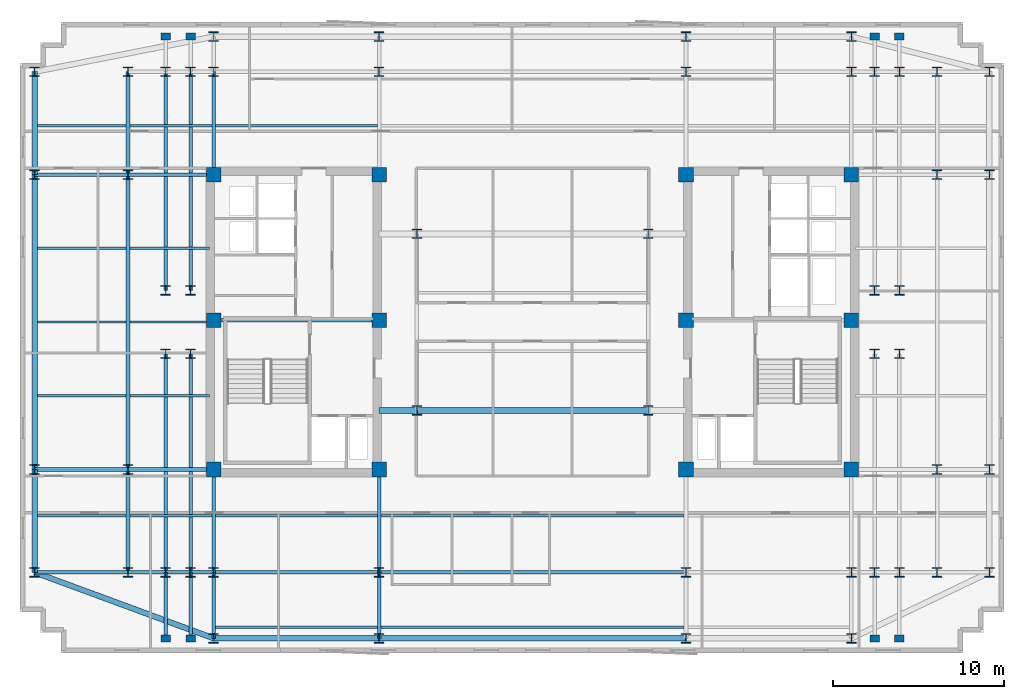
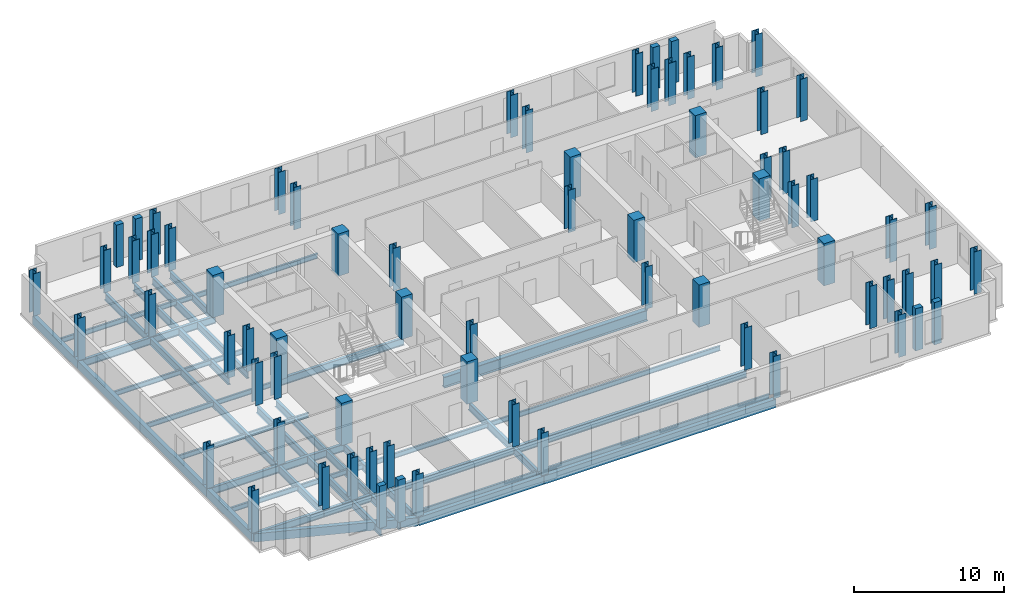
# One storey, part 1 of 9: 72 columns, 46 beams.
"""IFC4 building model written with IfcOpenShell, lengths in metres."""

import ifcopenshell
import ifcopenshell.guid

model = None  # the IFC model being written
_history = None  # IfcOwnerHistory: only IFC2X3 demands one
_inside = {}  # id of a spatial element -> (the spatial element, [elements in it])
_under = {}  # id of a project, library or spatial element -> (it, [spatial elements below it])
_declared = {}  # id of a project -> (the project, [libraries it declares])
_typed = {}  # id of a type object -> (the type object, [elements of that type])
_made_of = {}  # id of a material, layer set ... -> (it, [elements and type objects made of it])


def new_model(schema):
    """Start an empty IFC model of exactly this schema.

    Asked for "IFC4X3", IfcOpenShell would pick the latest addendum, in which some entities
    have other attributes; the version numbers below select the first issue.
    IFC2X3 requires an IfcOwnerHistory on every rooted entity: one is made here for all.
    """
    global model, _history
    if schema == "IFC4X3":
        model = ifcopenshell.file(schema_version=(4, 3, 0, 0))
    else:
        model = ifcopenshell.file(schema=schema)
    _inside.clear()
    _under.clear()
    _declared.clear()
    _typed.clear()
    _made_of.clear()
    _history = None
    if model.schema == "IFC2X3":
        org = make("IfcOrganization", Name="unknown")
        user = make(
            "IfcPersonAndOrganization",
            ThePerson=make("IfcPerson", FamilyName="unknown"),
            TheOrganization=org,
        )
        app = make(
            "IfcApplication",
            ApplicationDeveloper=org,
            Version="unknown",
            ApplicationFullName="unknown",
            ApplicationIdentifier="unknown",
        )
        _history = make(
            "IfcOwnerHistory",
            OwningUser=user,
            OwningApplication=app,
            ChangeAction="ADDED",
            CreationDate=0,
        )
    return model


def make(cls, **values):
    """One entity of the class cls with the attributes given. An attribute that is None is left unset."""
    return model.create_entity(
        cls, **{name: value for name, value in values.items() if value is not None}
    )


def rooted(cls, **values):
    """An entity with a GlobalId (a new one), such as an element, a storey or a relation."""
    return make(cls, GlobalId=ifcopenshell.guid.new(), OwnerHistory=_history, **values)


def si_unit(unit_type, name, prefix=None):
    """IfcSIUnit, for example si_unit("LENGTHUNIT", "METRE", prefix="MILLI")."""
    return make("IfcSIUnit", UnitType=unit_type, Prefix=prefix, Name=name)


def assignment(units):
    """IfcUnitAssignment: the units of a project."""
    return None if units is None else make("IfcUnitAssignment", Units=units)


def point(xyz):
    """IfcCartesianPoint."""
    return None if xyz is None else make("IfcCartesianPoint", Coordinates=xyz)


def direction(xyz):
    """IfcDirection."""
    return None if xyz is None else make("IfcDirection", DirectionRatios=xyz)


def frame(location, z_axis=None, x_axis=None):
    """IfcAxis2Placement3D, a coordinate frame: its origin and axes. An axis left out is left unset."""
    return make(
        "IfcAxis2Placement3D",
        Location=point(location),
        Axis=direction(z_axis),
        RefDirection=direction(x_axis),
    )


def frame_2d(location, x_axis=None):
    """IfcAxis2Placement2D, a coordinate frame in the plane: its origin and x axis."""
    return make(
        "IfcAxis2Placement2D", Location=point(location), RefDirection=direction(x_axis)
    )


def origin():
    """The frame at (0, 0, 0) with its axes left unset."""
    return frame((0.0, 0.0, 0.0))


def origin_2d():
    """The frame at (0, 0) in the plane with its x axis left unset."""
    return frame_2d((0.0, 0.0))


def place(relative_to, where):
    """IfcLocalPlacement: puts the frame where relative to a parent placement (None: the world)."""
    return make(
        "IfcLocalPlacement", PlacementRelTo=relative_to, RelativePlacement=where
    )


def context(
    kind, dimensions, precision=None, world=None, true_north=None, identifier=None
):
    """IfcGeometricRepresentationContext, for example the 3D "Model" context."""
    return make(
        "IfcGeometricRepresentationContext",
        ContextIdentifier=identifier,
        ContextType=kind,
        CoordinateSpaceDimension=dimensions,
        Precision=precision,
        WorldCoordinateSystem=world,
        TrueNorth=true_north,
    )


def subcontext(parent, identifier, kind, view, scale=None):
    """IfcGeometricRepresentationSubContext, for example "Body" below "Model"."""
    return make(
        "IfcGeometricRepresentationSubContext",
        ContextIdentifier=identifier,
        ContextType=kind,
        ParentContext=parent,
        TargetScale=scale,
        TargetView=view,
    )


def project(units=None, contexts=None):
    """IfcProject with its units and contexts."""
    return rooted(
        "IfcProject",
        Name="project",
        RepresentationContexts=contexts,
        UnitsInContext=assignment(units),
    )


def spatial(cls, under=None, at=None, **own):
    """A site, building, storey or space (cls), placed at a placement, below another one or the project."""
    s = rooted(cls, ObjectPlacement=at, **own)
    if under is not None:
        _under.setdefault(under.id(), (under, []))[1].append(s)
    return s


def profile(cls, at=None, kind="AREA", **sizes):
    """A parametric profile (cls). Its sizes go by their IFC names, for example OverallWidth=200.0."""
    return make(cls, ProfileType=kind, Position=at, **sizes)


def rectangle(**sizes):
    """IfcRectangleProfileDef."""
    return profile("IfcRectangleProfileDef", **sizes)


def i_section(**sizes):
    """IfcIShapeProfileDef."""
    return profile("IfcIShapeProfileDef", **sizes)


def extrude(swept, where, along, depth):
    """IfcExtrudedAreaSolid: the profile swept, set in the frame where, extruded along a direction by depth."""
    return make(
        "IfcExtrudedAreaSolid",
        SweptArea=swept,
        Position=where,
        ExtrudedDirection=direction(along),
        Depth=depth,
    )


def shape(context_of_items, identifier, shape_type, items):
    """IfcShapeRepresentation: the items that make up one representation, for example the "Body"."""
    return make(
        "IfcShapeRepresentation",
        ContextOfItems=context_of_items,
        RepresentationIdentifier=identifier,
        RepresentationType=shape_type,
        Items=items,
    )


def material(Name=None, Category=None):
    """IfcMaterial."""
    return make("IfcMaterial", Name=Name, Category=Category)


def material_profile(
    of_material, cross_section, Name=None, Category=None, Priority=None
):
    """IfcMaterialProfile: a cross section and its material."""
    return make(
        "IfcMaterialProfile",
        Name=Name,
        Material=of_material,
        Profile=cross_section,
        Priority=Priority,
        Category=Category,
    )


def profile_set(profiles, Name=None, composite=None):
    """IfcMaterialProfileSet."""
    return make(
        "IfcMaterialProfileSet",
        Name=Name,
        MaterialProfiles=profiles,
        CompositeProfile=composite,
    )


def made_of(thing, what):
    """Note that an element or type object is made of a material, layer set ...; save() writes the relation."""
    if what is not None:
        _made_of.setdefault(what.id(), (what, []))[1].append(thing)
    return thing


def type_object(cls, material=None, **own):
    """A type object (cls), such as IfcWallType, which elements share."""
    return made_of(rooted(cls, **own), material)


def element(
    cls,
    number,
    at=None,
    inside=None,
    cuts=None,
    type_object=None,
    material=None,
    context=None,
    identifier="Body",
    shape_type=None,
    held_by="IfcProductDefinitionShape",
    body=None,
    shapes=None,
    **own,
):
    """One element of the class cls, such as IfcWall. Its Tag is "e" and its number.

    at: its placement. inside: the storey or other place that contains it. cuts: it is an
    opening in that element (IfcRelVoidsElement). A single representation is given by context,
    identifier, shape_type and body (its items); several are given by shapes. held_by: the class
    of the entity that holds the representations. save() writes the other relations.
    """
    e = rooted(cls, Tag="e%d" % number, ObjectPlacement=at, **own)
    if body is not None:
        shapes = [shape(context, identifier, shape_type, body)]
    if shapes is not None:
        e.Representation = make(held_by, Representations=shapes)
    if inside is not None:
        _inside.setdefault(inside.id(), (inside, []))[1].append(e)
    if cuts is not None:
        rooted(
            "IfcRelVoidsElement", RelatingBuildingElement=cuts, RelatedOpeningElement=e
        )
    if type_object is not None:
        _typed.setdefault(type_object.id(), (type_object, []))[1].append(e)
    return made_of(e, material)


def aggregate(whole, parts):
    """IfcRelAggregates: a whole, such as a stair, and the parts it consists of."""
    return rooted("IfcRelAggregates", RelatingObject=whole, RelatedObjects=parts)


def save(model, path):
    """Write the relations noted so far, then the file.

    IfcRelAggregates (storeys below a building ...), IfcRelContainedInSpatialStructure (elements
    in a storey), IfcRelDefinesByType, IfcRelAssociatesMaterial and IfcRelDeclares: one each for
    every whole, place, type object, material and project.
    """
    for whole, parts in _under.values():
        aggregate(whole, parts)
    for where, things in _inside.values():
        rooted(
            "IfcRelContainedInSpatialStructure",
            RelatedElements=things,
            RelatingStructure=where,
        )
    for kind, things in _typed.values():
        rooted("IfcRelDefinesByType", RelatedObjects=things, RelatingType=kind)
    for what, things in _made_of.values():
        rooted("IfcRelAssociatesMaterial", RelatedObjects=things, RelatingMaterial=what)
    for by, libraries in _declared.values():
        rooted("IfcRelDeclares", RelatingContext=by, RelatedDefinitions=libraries)
    model.write(path)


model = new_model("IFC4")

# Units and contexts
model_context = context("Model", 3, precision=1e-05, world=origin(), true_north=direction((0.0, 1.0)))
body_context = subcontext(model_context, "Body", "Model", "MODEL_VIEW")
ifc_project = project(units=[si_unit("LENGTHUNIT", "METRE"), si_unit("AREAUNIT", "SQUARE_METRE"), si_unit("VOLUMEUNIT", "CUBIC_METRE"), si_unit("PLANEANGLEUNIT", "RADIAN"), si_unit("MASSUNIT", "GRAM", prefix="KILO")], contexts=[model_context])

# Site, building, storey
site_placement = place(None, origin())
site = spatial("IfcSite", under=ifc_project, at=site_placement, CompositionType="ELEMENT")
building_placement = place(site_placement, origin())
building = spatial("IfcBuilding", under=site, at=building_placement, Name="Velakula Bourse", CompositionType="ELEMENT")
storey_placement = place(building_placement, frame((0.0, 0.0, 232.64990234375)))
storey = spatial("IfcBuildingStorey", under=building, at=storey_placement, Name="L63", CompositionType="ELEMENT", Elevation=232.64990234375)

# Columns
ifc_material_1 = material(Name="Concrete M50 (fck 50 MPa)", Category="concrete")
ifc_material_profile_1 = material_profile(ifc_material_1, rectangle(XDim=0.85009765625, YDim=0.85009765625, at=origin_2d()), Name="Concrete M50 (fck 50 MPa)")
ifc_profile_set_1 = profile_set([ifc_material_profile_1], Name="Concrete M50 (fck 50 MPa)")
column_type_1 = type_object("IfcColumnType", Name="COL-RC-850", PredefinedType="COLUMN", material=ifc_profile_set_1)
for number, where, z_axis, x_axis, name in (
    (1, (-8.949951171875, -8.60009765625, 0.0), (0.0, 0.0, 1.0), (1.0, 0.0, 0.0), "L63 Core Boundary Column 01"),
    (2, (-8.949951171875, 0.10009765625, 0.0), (0.0, 0.0, 1.0), (1.0, 0.0, 0.0), "L63 Core Boundary Column 02"),
    (3, (-8.949951171875, 8.60009765625, 0.0), (0.0, 0.0, 1.0), (1.0, 0.0, 0.0), "L63 Core Boundary Column 03"),
    (4, (-18.60009765625, -8.60009765625, 0.0), (0.0, 0.0, 1.0), (1.0, 0.0, 0.0), "L63 Core Boundary Column 04"),
    (5, (-18.60009765625, 0.10009765625, 0.0), (0.0, 0.0, 1.0), (1.0, 0.0, 0.0), "L63 Core Boundary Column 05"),
    (6, (-18.60009765625, 8.60009765625, 0.0), (0.0, 0.0, 1.0), (1.0, 0.0, 0.0), "L63 Core Boundary Column 06"),
    (7, (8.949951171875, -8.60009765625, 0.0), (0.0, 0.0, 1.0), (1.0, 0.0, 0.0), "L63 Core Boundary Column 07"),
    (8, (8.949951171875, 0.10009765625, 0.0), (0.0, 0.0, 1.0), (1.0, 0.0, 0.0), "L63 Core Boundary Column 08"),
    (9, (8.949951171875, 8.60009765625, 0.0), (0.0, 0.0, 1.0), (1.0, 0.0, 0.0), "L63 Core Boundary Column 09"),
    (10, (18.60009765625, -8.60009765625, 0.0), (0.0, 0.0, 1.0), (1.0, 0.0, 0.0), "L63 Core Boundary Column 10"),
    (11, (18.60009765625, 0.10009765625, 0.0), (0.0, 0.0, 1.0), (1.0, 0.0, 0.0), "L63 Core Boundary Column 11"),
    (12, (18.60009765625, 8.60009765625, 0.0), (0.0, 0.0, 1.0), (1.0, 0.0, 0.0), "L63 Core Boundary Column 12"),
):
    element("IfcColumn", number, at=place(storey_placement, frame(where, z_axis=z_axis, x_axis=x_axis)), inside=storey, type_object=column_type_1, Name=name, PredefinedType="COLUMN", context=body_context, shape_type="SweptSolid", body=[
        extrude(rectangle(XDim=0.85009765625, YDim=0.85009765625, at=origin_2d()), origin(), (0.0, 0.0, 1.0), 3.4501953125),
    ])
ifc_material_2 = material(Name="Steel IS 2062 Grade 350 (E350)", Category="steel")
ifc_material_profile_2 = material_profile(ifc_material_2, i_section(OverallWidth=0.550048828125, OverallDepth=0.550048828125, WebThickness=0.02392578125, FlangeThickness=0.035888671875, at=origin_2d()), Name="Steel IS 2062 Grade 350 (E350)")
ifc_profile_set_2 = profile_set([ifc_material_profile_2], Name="Steel IS 2062 Grade 350 (E350)")
column_type_2 = type_object("IfcColumnType", Name="COL-STL-550", PredefinedType="COLUMN", material=ifc_profile_set_2)
for number, where, z_axis, x_axis, name in (
    (13, (-6.75, -5.14990234375, 0.0), (0.0, 0.0, 1.0), (1.0, 0.0, 0.0), "L63 Central Spine Column 01"),
    (14, (-6.75, 5.14990234375, 0.0), (0.0, 0.0, 1.0), (1.0, 0.0, 0.0), "L63 Central Spine Column 02"),
    (15, (6.75, -5.14990234375, 0.0), (0.0, 0.0, 1.0), (1.0, 0.0, 0.0), "L63 Central Spine Column 03"),
    (16, (6.75, 5.14990234375, 0.0), (0.0, 0.0, 1.0), (1.0, 0.0, 0.0), "L63 Central Spine Column 04"),
    (17, (-21.39990234375, -14.60009765625, 0.0), (0.0, 0.0, 1.0), (1.0, 0.0, 0.0), "L63 Tower Fulcrum Column 01"),
    (18, (-21.39990234375, 14.60009765625, 0.0), (0.0, 0.0, 1.0), (1.0, 0.0, 0.0), "L63 Tower Fulcrum Column 02"),
    (19, (-19.949951171875, -14.60009765625, 0.0), (0.0, 0.0, 1.0), (1.0, 0.0, 0.0), "L63 Tower Fulcrum Column 03"),
    (20, (-19.949951171875, 14.60009765625, 0.0), (0.0, 0.0, 1.0), (1.0, 0.0, 0.0), "L63 Tower Fulcrum Column 04"),
    (21, (-18.60009765625, -14.60009765625, 0.0), (0.0, 0.0, 1.0), (1.0, 0.0, 0.0), "L63 Tower Fulcrum Column 05"),
    (22, (-18.60009765625, 14.60009765625, 0.0), (0.0, 0.0, 1.0), (1.0, 0.0, 0.0), "L63 Tower Fulcrum Column 06"),
    (23, (-8.949951171875, -14.60009765625, 0.0), (0.0, 0.0, 1.0), (1.0, 0.0, 0.0), "L63 Tower Fulcrum Column 07"),
    (24, (-8.949951171875, 14.60009765625, 0.0), (0.0, 0.0, 1.0), (1.0, 0.0, 0.0), "L63 Tower Fulcrum Column 08"),
    (25, (8.949951171875, -14.60009765625, 0.0), (0.0, 0.0, 1.0), (1.0, 0.0, 0.0), "L63 Tower Fulcrum Column 09"),
    (26, (8.949951171875, 14.60009765625, 0.0), (0.0, 0.0, 1.0), (1.0, 0.0, 0.0), "L63 Tower Fulcrum Column 10"),
    (27, (18.60009765625, -14.60009765625, 0.0), (0.0, 0.0, 1.0), (1.0, 0.0, 0.0), "L63 Tower Fulcrum Column 11"),
    (28, (18.60009765625, 14.60009765625, 0.0), (0.0, 0.0, 1.0), (1.0, 0.0, 0.0), "L63 Tower Fulcrum Column 12"),
    (29, (19.949951171875, -14.60009765625, 0.0), (0.0, 0.0, 1.0), (1.0, 0.0, 0.0), "L63 Tower Fulcrum Column 13"),
    (30, (19.949951171875, 14.60009765625, 0.0), (0.0, 0.0, 1.0), (1.0, 0.0, 0.0), "L63 Tower Fulcrum Column 14"),
    (31, (21.39990234375, -14.60009765625, 0.0), (0.0, 0.0, 1.0), (1.0, 0.0, 0.0), "L63 Tower Fulcrum Column 15"),
    (32, (21.39990234375, 14.60009765625, 0.0), (0.0, 0.0, 1.0), (1.0, 0.0, 0.0), "L63 Tower Fulcrum Column 16"),
    (33, (-21.39990234375, -1.85009765625, 0.0), (0.0, 0.0, 1.0), (1.0, 0.0, 0.0), "L63 Tower Fulcrum Column 17"),
    (34, (-21.39990234375, 1.85009765625, 0.0), (0.0, 0.0, 1.0), (1.0, 0.0, 0.0), "L63 Tower Fulcrum Column 18"),
    (35, (-19.949951171875, -1.85009765625, 0.0), (0.0, 0.0, 1.0), (1.0, 0.0, 0.0), "L63 Tower Fulcrum Column 19"),
    (36, (-19.949951171875, 1.85009765625, 0.0), (0.0, 0.0, 1.0), (1.0, 0.0, 0.0), "L63 Tower Fulcrum Column 20"),
    (37, (19.949951171875, -1.85009765625, 0.0), (0.0, 0.0, 1.0), (1.0, 0.0, 0.0), "L63 Tower Fulcrum Column 21"),
    (38, (19.949951171875, 1.85009765625, 0.0), (0.0, 0.0, 1.0), (1.0, 0.0, 0.0), "L63 Tower Fulcrum Column 22"),
    (39, (21.39990234375, -1.85009765625, 0.0), (0.0, 0.0, 1.0), (1.0, 0.0, 0.0), "L63 Tower Fulcrum Column 23"),
    (40, (21.39990234375, 1.85009765625, 0.0), (0.0, 0.0, 1.0), (1.0, 0.0, 0.0), "L63 Tower Fulcrum Column 24"),
    (41, (-23.60009765625, -14.60009765625, 0.0), (0.0, 0.0, 1.0), (1.0, 0.0, 0.0), "L63 Mid-Wing Plumb Column 01"),
    (42, (-23.60009765625, -8.60009765625, 0.0), (0.0, 0.0, 1.0), (1.0, 0.0, 0.0), "L63 Mid-Wing Plumb Column 02"),
    (43, (-23.60009765625, 8.60009765625, 0.0), (0.0, 0.0, 1.0), (1.0, 0.0, 0.0), "L63 Mid-Wing Plumb Column 03"),
    (44, (-23.60009765625, 14.60009765625, 0.0), (0.0, 0.0, 1.0), (1.0, 0.0, 0.0), "L63 Mid-Wing Plumb Column 04"),
    (45, (23.60009765625, -14.60009765625, 0.0), (0.0, 0.0, 1.0), (1.0, 0.0, 0.0), "L63 Mid-Wing Plumb Column 05"),
    (46, (23.60009765625, -8.60009765625, 0.0), (0.0, 0.0, 1.0), (1.0, 0.0, 0.0), "L63 Mid-Wing Plumb Column 06"),
    (47, (23.60009765625, 8.60009765625, 0.0), (0.0, 0.0, 1.0), (1.0, 0.0, 0.0), "L63 Mid-Wing Plumb Column 07"),
    (48, (23.60009765625, 14.60009765625, 0.0), (0.0, 0.0, 1.0), (1.0, 0.0, 0.0), "L63 Mid-Wing Plumb Column 08"),
    (49, (-18.60009765625, -18.449951171875, 0.0), (0.0, 0.0, 1.0), (1.0, 0.0, 0.0), "L63 Block B5 Perimeter Column S1"),
    (50, (-8.949951171875, -18.449951171875, 0.0), (0.0, 0.0, 1.0), (1.0, 0.0, 0.0), "L63 Block B5 Perimeter Column S2"),
    (51, (8.949951171875, -18.449951171875, 0.0), (0.0, 0.0, 1.0), (1.0, 0.0, 0.0), "L63 Block B5 Perimeter Column S3"),
    (52, (18.60009765625, -18.449951171875, 0.0), (0.0, 0.0, 1.0), (1.0, 0.0, 0.0), "L63 Block B5 Perimeter Column S4"),
    (53, (-18.60009765625, 16.64990234375, 0.0), (0.0, 0.0, 1.0), (1.0, 0.0, 0.0), "L63 Block B5 Perimeter Column N1"),
    (54, (-8.949951171875, 16.64990234375, 0.0), (0.0, 0.0, 1.0), (1.0, 0.0, 0.0), "L63 Block B5 Perimeter Column N2"),
    (55, (8.949951171875, 16.64990234375, 0.0), (0.0, 0.0, 1.0), (1.0, 0.0, 0.0), "L63 Block B5 Perimeter Column N3"),
    (56, (18.60009765625, 16.64990234375, 0.0), (0.0, 0.0, 1.0), (1.0, 0.0, 0.0), "L63 Block B5 Perimeter Column N4"),
    (57, (-29.050048828125, -14.60009765625, 0.0), (0.0, 0.0, 1.0), (1.0, 0.0, 0.0), "L63 Block B5 Perimeter Column W1"),
    (58, (-29.050048828125, -8.60009765625, 0.0), (0.0, 0.0, 1.0), (1.0, 0.0, 0.0), "L63 Block B5 Perimeter Column W2"),
    (59, (-29.050048828125, 8.60009765625, 0.0), (0.0, 0.0, 1.0), (1.0, 0.0, 0.0), "L63 Block B5 Perimeter Column W3"),
    (60, (-29.050048828125, 14.60009765625, 0.0), (0.0, 0.0, 1.0), (1.0, 0.0, 0.0), "L63 Block B5 Perimeter Column W4"),
    (61, (26.64990234375, -14.60009765625, 0.0), (0.0, 0.0, 1.0), (1.0, 0.0, 0.0), "L63 Block B5 Perimeter Column E1"),
    (62, (26.64990234375, -8.60009765625, 0.0), (0.0, 0.0, 1.0), (1.0, 0.0, 0.0), "L63 Block B5 Perimeter Column E2"),
    (63, (26.64990234375, 8.60009765625, 0.0), (0.0, 0.0, 1.0), (1.0, 0.0, 0.0), "L63 Block B5 Perimeter Column E3"),
    (64, (26.64990234375, 14.60009765625, 0.0), (0.0, 0.0, 1.0), (1.0, 0.0, 0.0), "L63 Block B5 Perimeter Column E4"),
):
    element("IfcColumn", number, at=place(storey_placement, frame(where, z_axis=z_axis, x_axis=x_axis)), inside=storey, type_object=column_type_2, Name=name, PredefinedType="COLUMN", context=body_context, shape_type="SweptSolid", body=[
        extrude(i_section(OverallWidth=0.550048828125, OverallDepth=0.550048828125, WebThickness=0.02392578125, FlangeThickness=0.035888671875, at=origin_2d()), origin(), (0.0, 0.0, 1.0), 3.4501953125),
    ])
ifc_material_3 = material(Name="Precast concrete M45 (fck 45 MPa)", Category="concrete")
ifc_material_profile_3 = material_profile(ifc_material_3, rectangle(XDim=0.550048828125, YDim=0.39990234375, at=origin_2d()), Name="Precast concrete M45 (fck 45 MPa)")
ifc_profile_set_3 = profile_set([ifc_material_profile_3], Name="Precast concrete M45 (fck 45 MPa)")
column_type_3 = type_object("IfcColumnType", Name="PIL-BRICK-550", PredefinedType="PILASTER", material=ifc_profile_set_3)
for number, where, z_axis, x_axis, name in (
    (65, (-21.39990234375, -18.449951171875, 0.0), (0.0, 0.0, 1.0), (1.0, 0.0, 0.0), "L63 Brick Pier Pilaster 01"),
    (66, (-19.949951171875, -18.449951171875, 0.0), (0.0, 0.0, 1.0), (1.0, 0.0, 0.0), "L63 Brick Pier Pilaster 02"),
    (67, (19.949951171875, -18.449951171875, 0.0), (0.0, 0.0, 1.0), (1.0, 0.0, 0.0), "L63 Brick Pier Pilaster 03"),
    (68, (21.39990234375, -18.449951171875, 0.0), (0.0, 0.0, 1.0), (1.0, 0.0, 0.0), "L63 Brick Pier Pilaster 04"),
    (69, (-21.39990234375, 16.64990234375, 0.0), (0.0, 0.0, 1.0), (1.0, 0.0, 0.0), "L63 Brick Pier Pilaster 05"),
    (70, (-19.949951171875, 16.64990234375, 0.0), (0.0, 0.0, 1.0), (1.0, 0.0, 0.0), "L63 Brick Pier Pilaster 06"),
    (71, (19.949951171875, 16.64990234375, 0.0), (0.0, 0.0, 1.0), (1.0, 0.0, 0.0), "L63 Brick Pier Pilaster 07"),
    (72, (21.39990234375, 16.64990234375, 0.0), (0.0, 0.0, 1.0), (1.0, 0.0, 0.0), "L63 Brick Pier Pilaster 08"),
):
    element("IfcColumn", number, at=place(storey_placement, frame(where, z_axis=z_axis, x_axis=x_axis)), inside=storey, type_object=column_type_3, Name=name, PredefinedType="PILASTER", context=body_context, shape_type="SweptSolid", body=[
        extrude(rectangle(XDim=0.550048828125, YDim=0.39990234375, at=origin_2d()), origin(), (0.0, 0.0, 1.0), 3.4501953125),
    ])

# Beams
ifc_material_profile_4 = material_profile(ifc_material_2, i_section(OverallWidth=0.2099609375, OverallDepth=0.60009765625, WebThickness=0.011962890625, FlangeThickness=0.020751953125, at=origin_2d()), Name="Steel IS 2062 Grade 350 (E350)")
ifc_profile_set_4 = profile_set([ifc_material_profile_4], Name="Steel IS 2062 Grade 350 (E350)")
beam_type_1 = type_object("IfcBeamType", Name="BM-GRD-600L", PredefinedType="BEAM", material=ifc_profile_set_4)
beam_1_placement = place(storey_placement, frame((-18.60009765625, 0.10009765625, -0.47998046875), z_axis=(1.0, 0.0, 0.0), x_axis=(0.0, 1.0, 0.0)))
element("IfcBeam", 73, at=beam_1_placement, inside=storey, type_object=beam_type_1, Name="L63 Primary Backbone Girder CRW-M", PredefinedType="BEAM", context=body_context, shape_type="SweptSolid", body=[
    extrude(i_section(OverallWidth=0.2099609375, OverallDepth=0.60009765625, WebThickness=0.011962890625, FlangeThickness=0.020751953125, at=origin_2d()), origin(), (0.0, 0.0, 1.0), 9.650146484375),
])
for number, where, z_axis, x_axis, name in (
    (74, (-18.60009765625, -14.60009765625, -0.47998046875), (0.0, 1.0, 0.0), (-1.0, 0.0, 0.0), "L63 Fulcrum Grid Girder FLC-WS"),
    (75, (-18.60009765625, 8.60009765625, -0.47998046875), (0.0, 1.0, 0.0), (-1.0, 0.0, 0.0), "L63 Fulcrum Grid Girder FLC-WN"),
    (76, (-8.949951171875, -14.60009765625, -0.47998046875), (0.0, 1.0, 0.0), (-1.0, 0.0, 0.0), "L63 Fulcrum Grid Girder FLC-WCS"),
):
    element("IfcBeam", number, at=place(storey_placement, frame(where, z_axis=z_axis, x_axis=x_axis)), inside=storey, type_object=beam_type_1, Name=name, PredefinedType="BEAM", context=body_context, shape_type="SweptSolid", body=[
        extrude(i_section(OverallWidth=0.2099609375, OverallDepth=0.60009765625, WebThickness=0.011962890625, FlangeThickness=0.020751953125, at=origin_2d()), origin(), (0.0, 0.0, 1.0), 6.0),
    ])
beam_2_placement = place(storey_placement, frame((-18.60009765625, -14.60009765625, -0.47998046875), z_axis=(1.0, 0.0, 0.0), x_axis=(0.0, 1.0, 0.0)))
element("IfcBeam", 77, at=beam_2_placement, inside=storey, type_object=beam_type_1, Name="L63 Fulcrum Grid Girder FLC-S1", PredefinedType="BEAM", context=body_context, shape_type="SweptSolid", body=[
    extrude(i_section(OverallWidth=0.2099609375, OverallDepth=0.60009765625, WebThickness=0.011962890625, FlangeThickness=0.020751953125, at=origin_2d()), origin(), (0.0, 0.0, 1.0), 9.650146484375),
])
beam_3_placement = place(storey_placement, frame((-8.949951171875, -14.60009765625, -0.47998046875), z_axis=(1.0, 0.0, 0.0), x_axis=(0.0, 1.0, 0.0)))
element("IfcBeam", 78, at=beam_3_placement, inside=storey, type_object=beam_type_1, Name="L63 Fulcrum Grid Girder FLC-S2", PredefinedType="BEAM", context=body_context, shape_type="SweptSolid", body=[
    extrude(i_section(OverallWidth=0.2099609375, OverallDepth=0.60009765625, WebThickness=0.011962890625, FlangeThickness=0.020751953125, at=origin_2d()), origin(), (0.0, 0.0, 1.0), 17.89990234375),
])
for number, where, z_axis, x_axis, name in (
    (79, (-21.39990234375, -14.60009765625, -0.47998046875), (0.0, 1.0, 0.0), (-1.0, 0.0, 0.0), "L63 Fulcrum Grid Girder FLC-PSW1"),
    (80, (-21.39990234375, 1.85009765625, -0.47998046875), (0.0, 1.0, 0.0), (-1.0, 0.0, 0.0), "L63 Fulcrum Grid Girder FLC-PNW1"),
    (81, (-19.949951171875, -14.60009765625, -0.47998046875), (0.0, 1.0, 0.0), (-1.0, 0.0, 0.0), "L63 Fulcrum Grid Girder FLC-PSW2"),
    (82, (-19.949951171875, 1.85009765625, -0.47998046875), (0.0, 1.0, 0.0), (-1.0, 0.0, 0.0), "L63 Fulcrum Grid Girder FLC-PNW2"),
):
    element("IfcBeam", number, at=place(storey_placement, frame(where, z_axis=z_axis, x_axis=x_axis)), inside=storey, type_object=beam_type_1, Name=name, PredefinedType="BEAM", context=body_context, shape_type="SweptSolid", body=[
        extrude(i_section(OverallWidth=0.2099609375, OverallDepth=0.60009765625, WebThickness=0.011962890625, FlangeThickness=0.020751953125, at=origin_2d()), origin(), (0.0, 0.0, 1.0), 12.75),
    ])
for number, where, z_axis, x_axis, name in (
    (83, (-23.60009765625, -14.60009765625, -0.47998046875), (1.0, 0.0, 0.0), (0.0, 1.0, 0.0), "L63 Fulcrum Grid Girder MWG-WS1"),
    (84, (-23.60009765625, -8.60009765625, -0.47998046875), (1.0, 0.0, 0.0), (0.0, 1.0, 0.0), "L63 Fulcrum Grid Girder MWG-WS2"),
    (85, (-23.60009765625, 8.60009765625, -0.47998046875), (1.0, 0.0, 0.0), (0.0, 1.0, 0.0), "L63 Fulcrum Grid Girder MWG-WN1"),
):
    element("IfcBeam", number, at=place(storey_placement, frame(where, z_axis=z_axis, x_axis=x_axis)), inside=storey, type_object=beam_type_1, Name=name, PredefinedType="BEAM", context=body_context, shape_type="SweptSolid", body=[
        extrude(i_section(OverallWidth=0.2099609375, OverallDepth=0.60009765625, WebThickness=0.011962890625, FlangeThickness=0.020751953125, at=origin_2d()), origin(), (0.0, 0.0, 1.0), 5.0),
    ])
beam_4_placement = place(storey_placement, frame((-23.60009765625, -14.60009765625, -0.47998046875), z_axis=(0.0, 1.0, 0.0), x_axis=(-1.0, 0.0, 0.0)))
element("IfcBeam", 86, at=beam_4_placement, inside=storey, type_object=beam_type_1, Name="L63 Fulcrum Grid Girder MWG-WNS1", PredefinedType="BEAM", context=body_context, shape_type="SweptSolid", body=[
    extrude(i_section(OverallWidth=0.2099609375, OverallDepth=0.60009765625, WebThickness=0.011962890625, FlangeThickness=0.020751953125, at=origin_2d()), origin(), (0.0, 0.0, 1.0), 6.0),
])
beam_5_placement = place(storey_placement, frame((-23.60009765625, -8.60009765625, -0.47998046875), z_axis=(0.0, 1.0, 0.0), x_axis=(-1.0, 0.0, 0.0)))
element("IfcBeam", 87, at=beam_5_placement, inside=storey, type_object=beam_type_1, Name="L63 Fulcrum Grid Girder MWG-WNS2", PredefinedType="BEAM", context=body_context, shape_type="SweptSolid", body=[
    extrude(i_section(OverallWidth=0.2099609375, OverallDepth=0.60009765625, WebThickness=0.011962890625, FlangeThickness=0.020751953125, at=origin_2d()), origin(), (0.0, 0.0, 1.0), 17.2001953125),
])
beam_6_placement = place(storey_placement, frame((-23.60009765625, 8.60009765625, -0.47998046875), z_axis=(0.0, 1.0, 0.0), x_axis=(-1.0, 0.0, 0.0)))
element("IfcBeam", 88, at=beam_6_placement, inside=storey, type_object=beam_type_1, Name="L63 Fulcrum Grid Girder MWG-WNS3", PredefinedType="BEAM", context=body_context, shape_type="SweptSolid", body=[
    extrude(i_section(OverallWidth=0.2099609375, OverallDepth=0.60009765625, WebThickness=0.011962890625, FlangeThickness=0.020751953125, at=origin_2d()), origin(), (0.0, 0.0, 1.0), 6.0),
])
for number, where, z_axis, x_axis, name in (
    (89, (-18.60009765625, -14.60009765625, -0.47998046875), (0.0, -1.0, 0.0), (1.0, 0.0, 0.0), "L63 Perimeter Tie Girder S1"),
    (90, (-8.949951171875, -14.60009765625, -0.47998046875), (0.0, -1.0, 0.0), (1.0, 0.0, 0.0), "L63 Perimeter Tie Girder S2"),
):
    element("IfcBeam", number, at=place(storey_placement, frame(where, z_axis=z_axis, x_axis=x_axis)), inside=storey, type_object=beam_type_1, Name=name, PredefinedType="BEAM", context=body_context, shape_type="SweptSolid", body=[
        extrude(i_section(OverallWidth=0.2099609375, OverallDepth=0.60009765625, WebThickness=0.011962890625, FlangeThickness=0.020751953125, at=origin_2d()), origin(), (0.0, 0.0, 1.0), 3.849853515625),
    ])
for number, where, z_axis, x_axis, name in (
    (91, (-23.60009765625, -14.60009765625, -0.47998046875), (-1.0, 0.0, 0.0), (0.0, -1.0, 0.0), "L63 Perimeter Tie Girder W1"),
    (92, (-23.60009765625, -8.60009765625, -0.47998046875), (-1.0, 0.0, 0.0), (0.0, -1.0, 0.0), "L63 Perimeter Tie Girder W2"),
    (93, (-23.60009765625, 8.60009765625, -0.47998046875), (-1.0, 0.0, 0.0), (0.0, -1.0, 0.0), "L63 Perimeter Tie Girder W3"),
):
    element("IfcBeam", number, at=place(storey_placement, frame(where, z_axis=z_axis, x_axis=x_axis)), inside=storey, type_object=beam_type_1, Name=name, PredefinedType="BEAM", context=body_context, shape_type="SweptSolid", body=[
        extrude(i_section(OverallWidth=0.2099609375, OverallDepth=0.60009765625, WebThickness=0.011962890625, FlangeThickness=0.020751953125, at=origin_2d()), origin(), (0.0, 0.0, 1.0), 5.449951171875),
    ])
for number, where, z_axis, x_axis, name in (
    (94, (-21.39990234375, -14.60009765625, -0.47998046875), (0.0, -1.0, 0.0), (1.0, 0.0, 0.0), "L63 Perimeter Tie Girder P01"),
    (95, (-19.949951171875, -14.60009765625, -0.47998046875), (0.0, -1.0, 0.0), (1.0, 0.0, 0.0), "L63 Perimeter Tie Girder P02"),
):
    element("IfcBeam", number, at=place(storey_placement, frame(where, z_axis=z_axis, x_axis=x_axis)), inside=storey, type_object=beam_type_1, Name=name, PredefinedType="BEAM", context=body_context, shape_type="SweptSolid", body=[
        extrude(i_section(OverallWidth=0.2099609375, OverallDepth=0.60009765625, WebThickness=0.011962890625, FlangeThickness=0.020751953125, at=origin_2d()), origin(), (0.0, 0.0, 1.0), 3.849853515625),
    ])
ifc_material_profile_5 = material_profile(ifc_material_2, i_section(OverallWidth=0.35009765625, OverallDepth=0.89990234375, WebThickness=0.02001953125, FlangeThickness=0.031982421875, at=origin_2d()), Name="Steel IS 2062 Grade 350 (E350)")
ifc_profile_set_5 = profile_set([ifc_material_profile_5], Name="Steel IS 2062 Grade 350 (E350)")
beam_type_2 = type_object("IfcBeamType", Name="BM-LNK-900", PredefinedType="BEAM", material=ifc_profile_set_5)
beam_7_placement = place(storey_placement, frame((-8.949951171875, -5.14990234375, -0.6298828125), z_axis=(1.0, 0.0, 0.0), x_axis=(0.0, 1.0, 0.0)))
element("IfcBeam", 96, at=beam_7_placement, inside=storey, type_object=beam_type_2, Name="L63 Primary Backbone Girder LNK-S1", PredefinedType="BEAM", context=body_context, shape_type="SweptSolid", body=[
    extrude(i_section(OverallWidth=0.35009765625, OverallDepth=0.89990234375, WebThickness=0.02001953125, FlangeThickness=0.031982421875, at=origin_2d()), origin(), (0.0, 0.0, 1.0), 2.199951171875),
])
beam_8_placement = place(storey_placement, frame((-6.75, -5.14990234375, -0.6298828125), z_axis=(1.0, 0.0, 0.0), x_axis=(0.0, 1.0, 0.0)))
element("IfcBeam", 97, at=beam_8_placement, inside=storey, type_object=beam_type_2, Name="L63 Primary Backbone Girder LNK-S2", PredefinedType="BEAM", context=body_context, shape_type="SweptSolid", body=[
    extrude(i_section(OverallWidth=0.35009765625, OverallDepth=0.89990234375, WebThickness=0.02001953125, FlangeThickness=0.031982421875, at=origin_2d()), origin(), (0.0, 0.0, 1.0), 13.5),
])
ifc_material_profile_6 = material_profile(ifc_material_2, i_section(OverallWidth=0.139892578125, OverallDepth=0.39990234375, WebThickness=0.0087890625, FlangeThickness=0.01611328125, at=origin_2d()), Name="Steel IS 2062 Grade 350 (E350)")
ifc_profile_set_6 = profile_set([ifc_material_profile_6], Name="Steel IS 2062 Grade 350 (E350)")
beam_type_3 = type_object("IfcBeamType", Name="JST-TWR-400", PredefinedType="JOIST", material=ifc_profile_set_6)
beam_9_placement = place(storey_placement, frame((-18.4951171875, -17.800048828125, -0.3798828125), z_axis=(1.0, 0.0, 0.0), x_axis=(0.0, 1.0, 0.0)))
element("IfcBeam", 98, at=beam_9_placement, inside=storey, type_object=beam_type_3, Name="L63 Trading Floor Composite Joist 01", PredefinedType="JOIST", context=body_context, shape_type="SweptSolid", body=[
    extrude(i_section(OverallWidth=0.139892578125, OverallDepth=0.39990234375, WebThickness=0.0087890625, FlangeThickness=0.01611328125, at=origin_2d()), origin(), (0.0, 0.0, 1.0), 9.440185546875),
])
beam_10_placement = place(storey_placement, frame((-8.844970703125, -17.800048828125, -0.3798828125), z_axis=(1.0, 0.0, 0.0), x_axis=(0.0, 1.0, 0.0)))
element("IfcBeam", 99, at=beam_10_placement, inside=storey, type_object=beam_type_3, Name="L63 Trading Floor Composite Joist 02", PredefinedType="JOIST", context=body_context, shape_type="SweptSolid", body=[
    extrude(i_section(OverallWidth=0.139892578125, OverallDepth=0.39990234375, WebThickness=0.0087890625, FlangeThickness=0.01611328125, at=origin_2d()), origin(), (0.0, 0.0, 1.0), 17.68994140625),
])
beam_11_placement = place(storey_placement, frame((-28.889892578125, -11.300048828125, -0.3798828125), z_axis=(1.0, 0.0, 0.0), x_axis=(0.0, 1.0, 0.0)))
element("IfcBeam", 100, at=beam_11_placement, inside=storey, type_object=beam_type_3, Name="L63 Trading Floor Composite Joist 04", PredefinedType="JOIST", context=body_context, shape_type="SweptSolid", body=[
    extrude(i_section(OverallWidth=0.139892578125, OverallDepth=0.39990234375, WebThickness=0.0087890625, FlangeThickness=0.01611328125, at=origin_2d()), origin(), (0.0, 0.0, 1.0), 5.184814453125),
])
beam_12_placement = place(storey_placement, frame((-23.4951171875, -11.300048828125, -0.3798828125), z_axis=(1.0, 0.0, 0.0), x_axis=(0.0, 1.0, 0.0)))
element("IfcBeam", 101, at=beam_12_placement, inside=storey, type_object=beam_type_3, Name="L63 Trading Floor Composite Joist 05", PredefinedType="JOIST", context=body_context, shape_type="SweptSolid", body=[
    extrude(i_section(OverallWidth=0.139892578125, OverallDepth=0.39990234375, WebThickness=0.0087890625, FlangeThickness=0.01611328125, at=origin_2d()), origin(), (0.0, 0.0, 1.0), 4.7900390625),
])
beam_13_placement = place(storey_placement, frame((-18.4951171875, -11.300048828125, -0.3798828125), z_axis=(1.0, 0.0, 0.0), x_axis=(0.0, 1.0, 0.0)))
element("IfcBeam", 102, at=beam_13_placement, inside=storey, type_object=beam_type_3, Name="L63 Trading Floor Composite Joist 06", PredefinedType="JOIST", context=body_context, shape_type="SweptSolid", body=[
    extrude(i_section(OverallWidth=0.139892578125, OverallDepth=0.39990234375, WebThickness=0.0087890625, FlangeThickness=0.01611328125, at=origin_2d()), origin(), (0.0, 0.0, 1.0), 9.440185546875),
])
beam_14_placement = place(storey_placement, frame((-8.844970703125, -11.300048828125, -0.3798828125), z_axis=(1.0, 0.0, 0.0), x_axis=(0.0, 1.0, 0.0)))
element("IfcBeam", 103, at=beam_14_placement, inside=storey, type_object=beam_type_3, Name="L63 Trading Floor Composite Joist 07", PredefinedType="JOIST", context=body_context, shape_type="SweptSolid", body=[
    extrude(i_section(OverallWidth=0.139892578125, OverallDepth=0.39990234375, WebThickness=0.0087890625, FlangeThickness=0.01611328125, at=origin_2d()), origin(), (0.0, 0.0, 1.0), 17.68994140625),
])
beam_15_placement = place(storey_placement, frame((-28.889892578125, 11.449951171875, -0.3798828125), z_axis=(1.0, 0.0, 0.0), x_axis=(0.0, 1.0, 0.0)))
element("IfcBeam", 104, at=beam_15_placement, inside=storey, type_object=beam_type_3, Name="L63 Trading Floor Composite Joist 11", PredefinedType="JOIST", context=body_context, shape_type="SweptSolid", body=[
    extrude(i_section(OverallWidth=0.139892578125, OverallDepth=0.39990234375, WebThickness=0.0087890625, FlangeThickness=0.01611328125, at=origin_2d()), origin(), (0.0, 0.0, 1.0), 5.184814453125),
])
beam_16_placement = place(storey_placement, frame((-23.4951171875, 11.449951171875, -0.3798828125), z_axis=(1.0, 0.0, 0.0), x_axis=(0.0, 1.0, 0.0)))
element("IfcBeam", 105, at=beam_16_placement, inside=storey, type_object=beam_type_3, Name="L63 Trading Floor Composite Joist 12", PredefinedType="JOIST", context=body_context, shape_type="SweptSolid", body=[
    extrude(i_section(OverallWidth=0.139892578125, OverallDepth=0.39990234375, WebThickness=0.0087890625, FlangeThickness=0.01611328125, at=origin_2d()), origin(), (0.0, 0.0, 1.0), 4.7900390625),
])
beam_17_placement = place(storey_placement, frame((-18.4951171875, 11.449951171875, -0.3798828125), z_axis=(1.0, 0.0, 0.0), x_axis=(0.0, 1.0, 0.0)))
element("IfcBeam", 106, at=beam_17_placement, inside=storey, type_object=beam_type_3, Name="L63 Trading Floor Composite Joist 13", PredefinedType="JOIST", context=body_context, shape_type="SweptSolid", body=[
    extrude(i_section(OverallWidth=0.139892578125, OverallDepth=0.39990234375, WebThickness=0.0087890625, FlangeThickness=0.01611328125, at=origin_2d()), origin(), (0.0, 0.0, 1.0), 9.440185546875),
])
beam_18_placement = place(storey_placement, frame((-28.889892578125, -4.300048828125, -0.3798828125), z_axis=(1.0, 0.0, 0.0), x_axis=(0.0, 1.0, 0.0)))
element("IfcBeam", 107, at=beam_18_placement, inside=storey, type_object=beam_type_3, Name="L63 Trading Floor Composite Joist 20", PredefinedType="JOIST", context=body_context, shape_type="SweptSolid", body=[
    extrude(i_section(OverallWidth=0.139892578125, OverallDepth=0.39990234375, WebThickness=0.0087890625, FlangeThickness=0.01611328125, at=origin_2d()), origin(), (0.0, 0.0, 1.0), 5.184814453125),
])
beam_19_placement = place(storey_placement, frame((-23.4951171875, -4.300048828125, -0.3798828125), z_axis=(1.0, 0.0, 0.0), x_axis=(0.0, 1.0, 0.0)))
element("IfcBeam", 108, at=beam_19_placement, inside=storey, type_object=beam_type_3, Name="L63 Trading Floor Composite Joist 21", PredefinedType="JOIST", context=body_context, shape_type="SweptSolid", body=[
    extrude(i_section(OverallWidth=0.139892578125, OverallDepth=0.39990234375, WebThickness=0.0087890625, FlangeThickness=0.01611328125, at=origin_2d()), origin(), (0.0, 0.0, 1.0), 4.64501953125),
])
beam_20_placement = place(storey_placement, frame((-28.889892578125, 0.0, -0.3798828125), z_axis=(1.0, 0.0, 0.0), x_axis=(0.0, 1.0, 0.0)))
element("IfcBeam", 109, at=beam_20_placement, inside=storey, type_object=beam_type_3, Name="L63 Trading Floor Composite Joist 24", PredefinedType="JOIST", context=body_context, shape_type="SweptSolid", body=[
    extrude(i_section(OverallWidth=0.139892578125, OverallDepth=0.39990234375, WebThickness=0.0087890625, FlangeThickness=0.01611328125, at=origin_2d()), origin(), (0.0, 0.0, 1.0), 5.184814453125),
])
beam_21_placement = place(storey_placement, frame((-23.4951171875, 0.0, -0.3798828125), z_axis=(1.0, 0.0, 0.0), x_axis=(0.0, 1.0, 0.0)))
element("IfcBeam", 110, at=beam_21_placement, inside=storey, type_object=beam_type_3, Name="L63 Trading Floor Composite Joist 25", PredefinedType="JOIST", context=body_context, shape_type="SweptSolid", body=[
    extrude(i_section(OverallWidth=0.139892578125, OverallDepth=0.39990234375, WebThickness=0.0087890625, FlangeThickness=0.01611328125, at=origin_2d()), origin(), (0.0, 0.0, 1.0), 4.64501953125),
])
beam_22_placement = place(storey_placement, frame((-28.889892578125, 4.300048828125, -0.3798828125), z_axis=(1.0, 0.0, 0.0), x_axis=(0.0, 1.0, 0.0)))
element("IfcBeam", 111, at=beam_22_placement, inside=storey, type_object=beam_type_3, Name="L63 Trading Floor Composite Joist 28", PredefinedType="JOIST", context=body_context, shape_type="SweptSolid", body=[
    extrude(i_section(OverallWidth=0.139892578125, OverallDepth=0.39990234375, WebThickness=0.0087890625, FlangeThickness=0.01611328125, at=origin_2d()), origin(), (0.0, 0.0, 1.0), 5.184814453125),
])
beam_23_placement = place(storey_placement, frame((-23.4951171875, 4.300048828125, -0.3798828125), z_axis=(1.0, 0.0, 0.0), x_axis=(0.0, 1.0, 0.0)))
element("IfcBeam", 112, at=beam_23_placement, inside=storey, type_object=beam_type_3, Name="L63 Trading Floor Composite Joist 29", PredefinedType="JOIST", context=body_context, shape_type="SweptSolid", body=[
    extrude(i_section(OverallWidth=0.139892578125, OverallDepth=0.39990234375, WebThickness=0.0087890625, FlangeThickness=0.01611328125, at=origin_2d()), origin(), (0.0, 0.0, 1.0), 4.64501953125),
])
ifc_material_profile_7 = material_profile(ifc_material_3, rectangle(XDim=0.320068359375, YDim=0.679931640625, at=origin_2d()), Name="Precast concrete M45 (fck 45 MPa)")
ifc_profile_set_7 = profile_set([ifc_material_profile_7], Name="Precast concrete M45 (fck 45 MPa)")
beam_type_4 = type_object("IfcBeamType", Name="SPN-BRICK-680", PredefinedType="SPANDREL", material=ifc_profile_set_7)
beam_24_placement = place(storey_placement, frame((-18.60009765625, -18.449951171875, -0.52001953125), z_axis=(1.0, 0.0, 0.0), x_axis=(0.0, 1.0, 0.0)))
element("IfcBeam", 113, at=beam_24_placement, inside=storey, type_object=beam_type_4, Name="L63 Brick-Faced Precast Spandrel S1-S2", PredefinedType="SPANDREL", context=body_context, shape_type="SweptSolid", body=[
    extrude(rectangle(XDim=0.320068359375, YDim=0.679931640625, at=origin_2d()), origin(), (0.0, 0.0, 1.0), 9.650146484375),
])
beam_25_placement = place(storey_placement, frame((-8.949951171875, -18.449951171875, -0.52001953125), z_axis=(1.0, 0.0, 0.0), x_axis=(0.0, 1.0, 0.0)))
element("IfcBeam", 114, at=beam_25_placement, inside=storey, type_object=beam_type_4, Name="L63 Brick-Faced Precast Spandrel S2-S3", PredefinedType="SPANDREL", context=body_context, shape_type="SweptSolid", body=[
    extrude(rectangle(XDim=0.320068359375, YDim=0.679931640625, at=origin_2d()), origin(), (0.0, 0.0, 1.0), 17.89990234375),
])
beam_26_placement = place(storey_placement, frame((-29.050048828125, -14.60009765625, -0.52001953125), z_axis=(0.0, 1.0, 0.0), x_axis=(-1.0, 0.0, 0.0)))
element("IfcBeam", 115, at=beam_26_placement, inside=storey, type_object=beam_type_4, Name="L63 Brick-Faced Precast Spandrel W1-W2", PredefinedType="SPANDREL", context=body_context, shape_type="SweptSolid", body=[
    extrude(rectangle(XDim=0.320068359375, YDim=0.679931640625, at=origin_2d()), origin(), (0.0, 0.0, 1.0), 6.0),
])
beam_27_placement = place(storey_placement, frame((-29.050048828125, -8.60009765625, -0.52001953125), z_axis=(0.0, 1.0, 0.0), x_axis=(-1.0, 0.0, 0.0)))
element("IfcBeam", 116, at=beam_27_placement, inside=storey, type_object=beam_type_4, Name="L63 Brick-Faced Precast Spandrel W2-W3", PredefinedType="SPANDREL", context=body_context, shape_type="SweptSolid", body=[
    extrude(rectangle(XDim=0.320068359375, YDim=0.679931640625, at=origin_2d()), origin(), (0.0, 0.0, 1.0), 17.2001953125),
])
beam_28_placement = place(storey_placement, frame((-29.050048828125, 8.60009765625, -0.52001953125), z_axis=(0.0, 1.0, 0.0), x_axis=(-1.0, 0.0, 0.0)))
element("IfcBeam", 117, at=beam_28_placement, inside=storey, type_object=beam_type_4, Name="L63 Brick-Faced Precast Spandrel W3-W4", PredefinedType="SPANDREL", context=body_context, shape_type="SweptSolid", body=[
    extrude(rectangle(XDim=0.320068359375, YDim=0.679931640625, at=origin_2d()), origin(), (0.0, 0.0, 1.0), 6.0),
])
beam_29_placement = place(storey_placement, frame((-29.050048828125, -14.60009765625, -0.52001953125), z_axis=(0.93834685962, -0.34569519962, 0.0), x_axis=(0.34569519962, 0.93834685962, 0.0)))
element("IfcBeam", 118, at=beam_29_placement, inside=storey, type_object=beam_type_4, Name="L63 Brick-Faced Precast Spandrel W1-S1", PredefinedType="SPANDREL", context=body_context, shape_type="SweptSolid", body=[
    extrude(rectangle(XDim=0.320068359375, YDim=0.679931640625, at=origin_2d()), origin(), (0.0, 0.0, 1.0), 11.136474609375),
])

save(model, "model.ifc")
